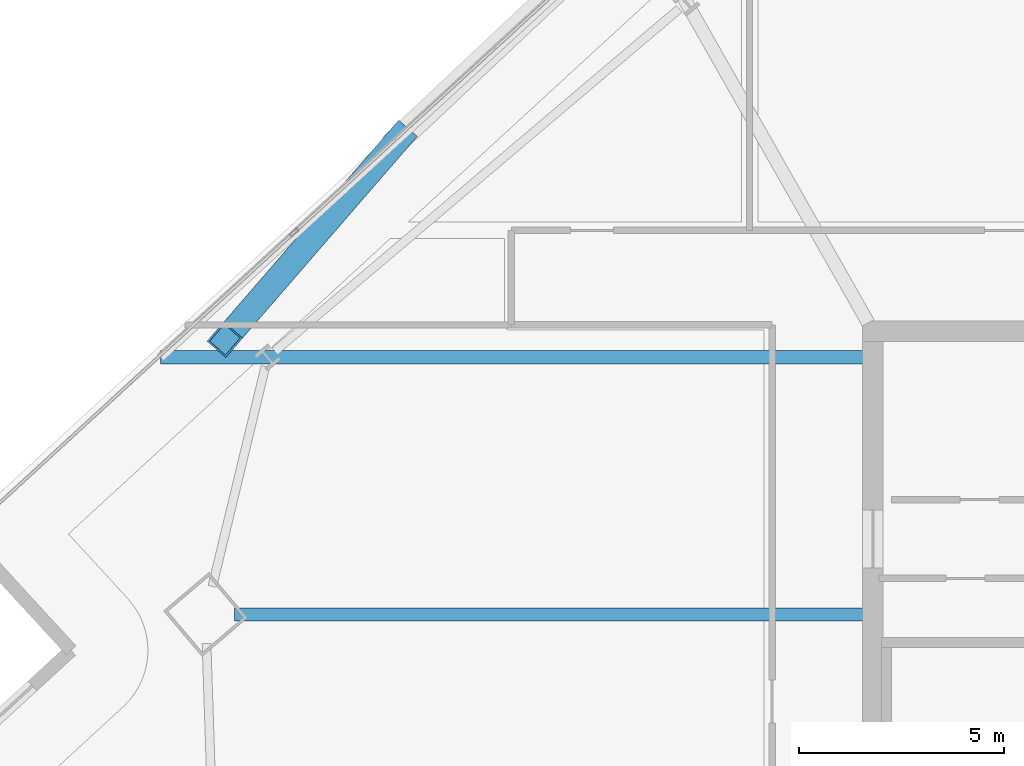
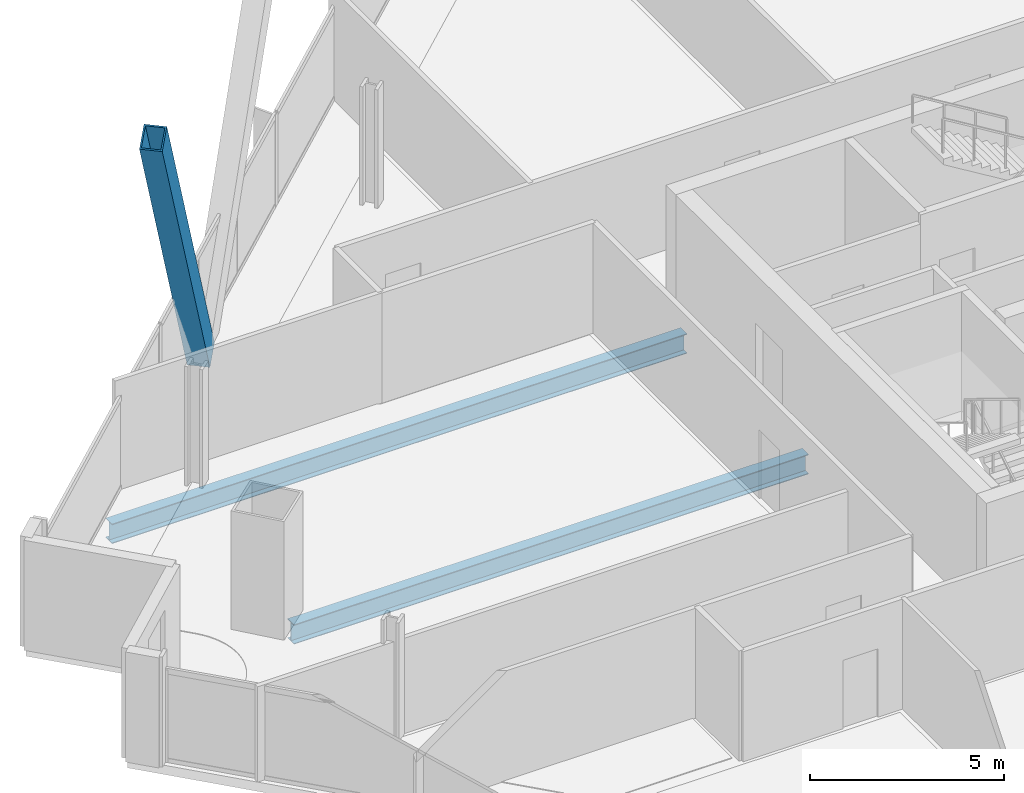
# One storey, part 14 of 32: 2 beams, 1 member.
"""IFC4 building model written with IfcOpenShell, lengths in metres."""

from ifc_helpers import new_model, si_unit, direction, frame, origin, origin_2d, place, context, subcontext, project, spatial, hollow_rectangle, i_section, extrude, material, material_profile, profile_set, type_object, element, save


model = new_model("IFC4")

# Units and contexts
model_context = context("Model", 3, precision=1e-05, world=origin(), true_north=direction((0.0, 1.0)))
body_context = subcontext(model_context, "Body", "Model", "MODEL_VIEW")
ifc_project = project(units=[si_unit("LENGTHUNIT", "METRE"), si_unit("AREAUNIT", "SQUARE_METRE"), si_unit("VOLUMEUNIT", "CUBIC_METRE"), si_unit("PLANEANGLEUNIT", "RADIAN"), si_unit("MASSUNIT", "GRAM", prefix="KILO")], contexts=[model_context])

# Site, building, storey
site_placement = place(None, origin())
site = spatial("IfcSite", under=ifc_project, at=site_placement, CompositionType="ELEMENT")
building_placement = place(site_placement, origin())
building = spatial("IfcBuilding", under=site, at=building_placement, Name="Haldenkirk Collegiate Tower", CompositionType="ELEMENT")
storey_placement = place(building_placement, frame((0.0, 0.0, 170.699951171875)))
storey = spatial("IfcBuildingStorey", under=building, at=storey_placement, Name="L42", CompositionType="ELEMENT", Elevation=170.699951171875)

# Beams
ifc_material_1 = material(Name="Steel ASTM A992 Grade 50", Category="steel")
ifc_material_profile_1 = material_profile(ifc_material_1, i_section(OverallWidth=0.324951171875, OverallDepth=0.615966796875, WebThickness=0.013916015625, FlangeThickness=0.021484375, at=origin_2d()), Name="W24X117")
ifc_profile_set_1 = profile_set([ifc_material_profile_1], Name="Steel ASTM A992 Grade 50")
beam_type = type_object("IfcBeamType", Name="BM-GIRDER-W24X117", PredefinedType="BEAM", material=ifc_profile_set_1)
beam_1_placement = place(storey_placement, frame((11.466064453125, 27.103759765625, -0.597900390625), z_axis=(1.0, 0.0, 0.0), x_axis=(0.0, 1.0, 0.0)))
element("IfcBeam", 1, at=beam_1_placement, inside=storey, type_object=beam_type, Name="L42 primary floor girder 04", PredefinedType="BEAM", context=body_context, shape_type="SweptSolid", body=[
    extrude(i_section(OverallWidth=0.324951171875, OverallDepth=0.615966796875, WebThickness=0.013916015625, FlangeThickness=0.021484375, at=origin_2d()), origin(), (0.0, 0.0, 1.0), 15.303955078125),
])
beam_2_placement = place(storey_placement, frame((9.666015625, 33.360107421875, -0.597900390625), z_axis=(1.0, 0.0, 0.0), x_axis=(0.0, 1.0, 0.0)))
element("IfcBeam", 2, at=beam_2_placement, inside=storey, type_object=beam_type, Name="L42 primary floor girder 13", PredefinedType="BEAM", context=body_context, shape_type="SweptSolid", body=[
    extrude(i_section(OverallWidth=0.324951171875, OverallDepth=0.615966796875, WebThickness=0.013916015625, FlangeThickness=0.021484375, at=origin_2d()), origin(), (0.0, 0.0, 1.0), 17.10400390625),
])

# Member
ifc_material_2 = material(Name="Steel ASTM A572 Grade 50", Category="steel")
ifc_material_profile_2 = material_profile(ifc_material_2, hollow_rectangle(XDim=0.60009765625, YDim=0.719970703125, WallThickness=0.044921875, at=origin_2d()), Name="BOX720X600X45")
ifc_profile_set_2 = profile_set([ifc_material_profile_2], Name="Steel ASTM A572 Grade 50")
member_type = type_object("IfcMemberType", Name="MBR-MEGABRACE-BOX720X600X45", PredefinedType="BRACE", material=ifc_profile_set_2)
member_placement = place(storey_placement, frame((15.48291015625, 38.69970703125, -0.300048828125), z_axis=(-0.327335225605, -0.377837622895, 0.866077583594), x_axis=(0.75581187991, -0.654788822589, 0.0)))
element("IfcMember", 3, at=member_placement, inside=storey, type_object=member_type, Name="Perimeter Mega Brace Z3 L42-L44 NR", PredefinedType="BRACE", context=body_context, shape_type="SweptSolid", body=[
    extrude(hollow_rectangle(XDim=0.60009765625, YDim=0.719970703125, WallThickness=0.044921875, at=origin_2d()), origin(), (0.0, 0.0, 1.0), 12.989501953125),
])

save(model, "model.ifc")
